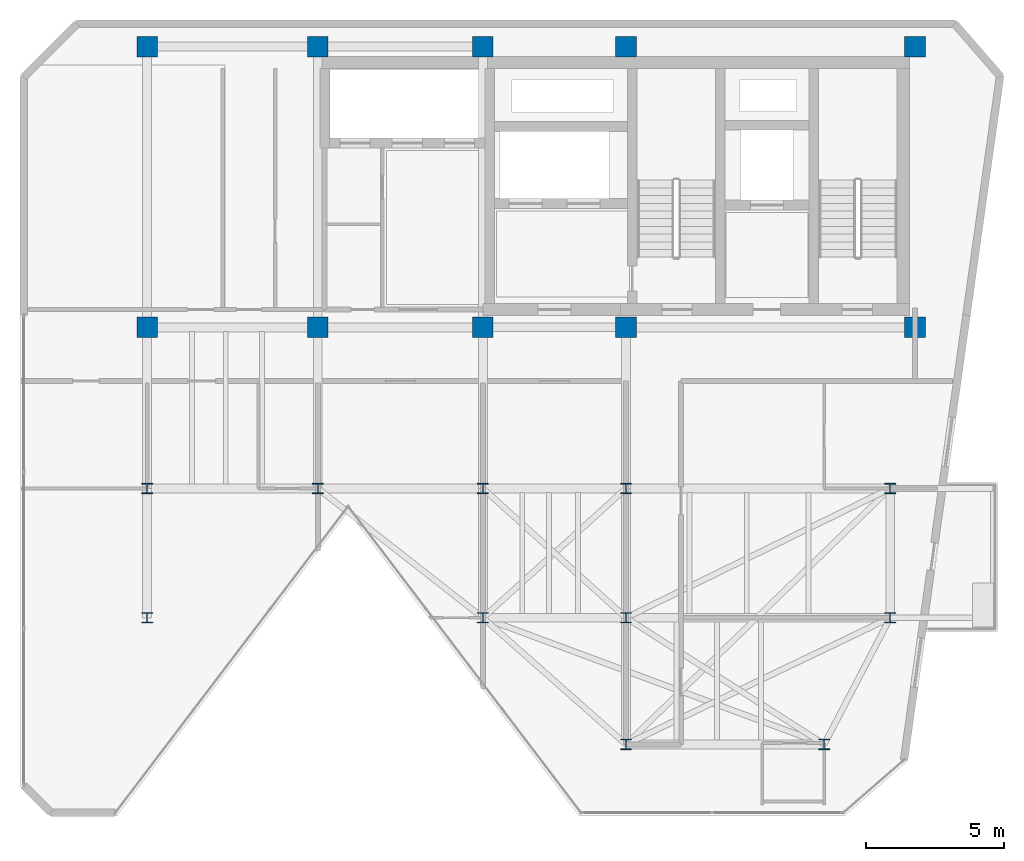
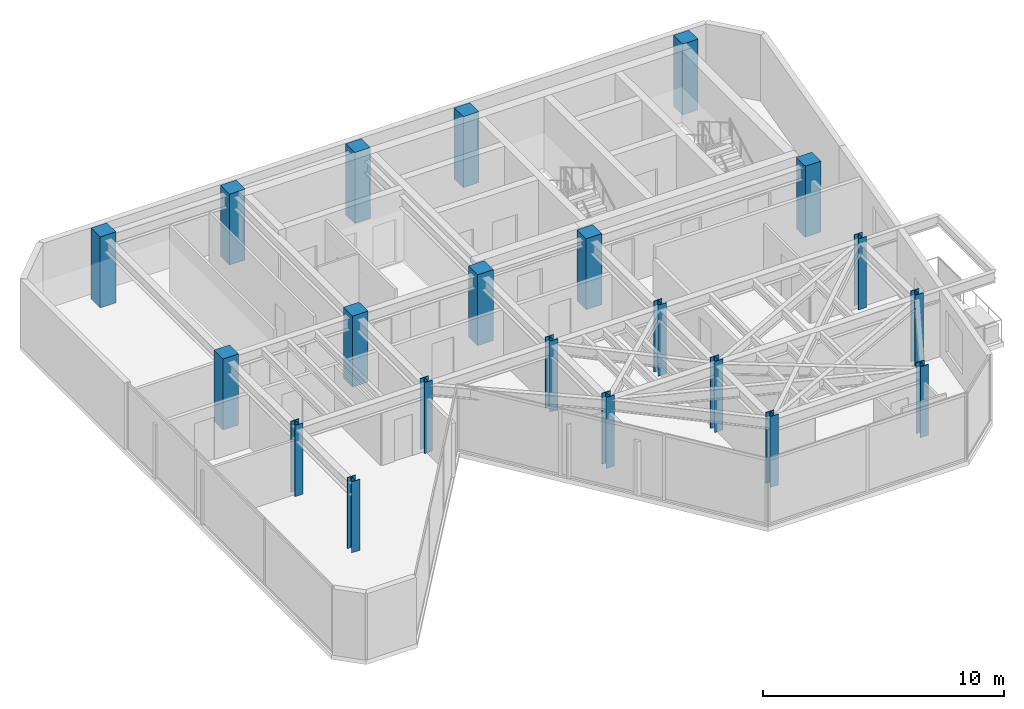
# One storey, part 1 of 16: 21 columns.
"""IFC4 building model written with IfcOpenShell, lengths in metres."""

from ifc_helpers import new_model, si_unit, direction, frame, origin, origin_2d, place, context, subcontext, project, spatial, rectangle, i_section, extrude, material, material_profile, profile_set, type_object, element, save


model = new_model("IFC4")

# Units and contexts
model_context = context("Model", 3, precision=1e-05, world=origin(), true_north=direction((0.0, 1.0)))
body_context = subcontext(model_context, "Body", "Model", "MODEL_VIEW")
ifc_project = project(units=[si_unit("LENGTHUNIT", "METRE"), si_unit("AREAUNIT", "SQUARE_METRE"), si_unit("VOLUMEUNIT", "CUBIC_METRE"), si_unit("PLANEANGLEUNIT", "RADIAN"), si_unit("MASSUNIT", "GRAM", prefix="KILO")], contexts=[model_context])

# Site, building, storey
site_placement = place(None, origin())
site = spatial("IfcSite", under=ifc_project, at=site_placement, CompositionType="ELEMENT")
building_placement = place(site_placement, origin())
building = spatial("IfcBuilding", under=site, at=building_placement, Name="Kravanh Interchange Tower", CompositionType="ELEMENT")
storey_placement = place(building_placement, frame((0.0, 0.0, 300.300048828125)))
storey = spatial("IfcBuildingStorey", under=building, at=storey_placement, Name="L74", CompositionType="ELEMENT", Elevation=300.300048828125)

# Columns
ifc_material_1 = material(Name="Concrete C60/75", Category="concrete")
ifc_material_profile_1 = material_profile(ifc_material_1, rectangle(XDim=0.75, YDim=0.75, at=origin_2d()), Name="RC750X750")
ifc_profile_set_1 = profile_set([ifc_material_profile_1], Name="Concrete C60/75")
column_type_1 = type_object("IfcColumnType", Name="Column RC750X750 Concrete C60/75", PredefinedType="COLUMN", material=ifc_profile_set_1)
for number, where, z_axis, x_axis, name in (
    (1, (66.5, 47.550048828125, 0.0), (0.0, 0.0, 1.0), (1.0, 0.0, 0.0), "L74 Column CS01"),
    (2, (56.0, 47.550048828125, 0.0), (0.0, 0.0, 1.0), (1.0, 0.0, 0.0), "L74 Column CS02"),
    (3, (66.5, 37.35009765625, 0.0), (0.0, 0.0, 1.0), (1.0, 0.0, 0.0), "L74 Column CS03"),
    (4, (56.0, 37.35009765625, 0.0), (0.0, 0.0, 1.0), (1.0, 0.0, 0.0), "L74 Column CS04"),
    (5, (50.800048828125, 47.550048828125, 0.0), (0.0, 0.0, 1.0), (1.0, 0.0, 0.0), "L74 Column CS05"),
    (6, (50.800048828125, 37.35009765625, 0.0), (0.0, 0.0, 1.0), (1.0, 0.0, 0.0), "L74 Column CS06"),
    (7, (44.800048828125, 37.35009765625, 0.0), (0.0, 0.0, 1.0), (1.0, 0.0, 0.0), "L74 Column CS07"),
    (8, (44.800048828125, 47.550048828125, 0.0), (0.0, 0.0, 1.0), (1.0, 0.0, 0.0), "L74 Column CS08"),
    (9, (38.60009765625, 37.35009765625, 0.0), (0.0, 0.0, 1.0), (1.0, 0.0, 0.0), "L74 Column CS09"),
    (10, (38.60009765625, 47.550048828125, 0.0), (0.0, 0.0, 1.0), (1.0, 0.0, 0.0), "L74 Column CS10"),
):
    element("IfcColumn", number, at=place(storey_placement, frame(where, z_axis=z_axis, x_axis=x_axis)), inside=storey, type_object=column_type_1, Name=name, PredefinedType="COLUMN", context=body_context, shape_type="SweptSolid", body=[
        extrude(rectangle(XDim=0.75, YDim=0.75, at=origin_2d()), origin(), (0.0, 0.0, 1.0), 3.599853515625),
    ])
ifc_material_2 = material(Name="Structural Steel S355", Category="steel")
ifc_material_profile_2 = material_profile(ifc_material_2, i_section(OverallWidth=0.39404296875, OverallDepth=0.3759765625, WebThickness=0.017333984375, FlangeThickness=0.027587890625, FilletRadius=0.030029296875, at=origin_2d()), Name="W14X145")
ifc_profile_set_2 = profile_set([ifc_material_profile_2], Name="Structural Steel S355")
column_type_2 = type_object("IfcColumnType", Name="Column W14X145 Structural Steel S355", PredefinedType="COLUMN", material=ifc_profile_set_2)
for number, where, z_axis, x_axis, name in (
    (11, (44.800048828125, 31.5, 0.0), (0.0, 0.0, 1.0), (1.0, 0.0, 0.0), "L74 Column CH_E1"),
    (12, (50.800048828125, 31.5, 0.0), (0.0, 0.0, 1.0), (1.0, 0.0, 0.0), "L74 Column CH_E2"),
    (13, (56.0, 31.5, 0.0), (0.0, 0.0, 1.0), (1.0, 0.0, 0.0), "L74 Column CH_E3"),
    (14, (65.60009765625, 31.5, 0.0), (0.0, 0.0, 1.0), (1.0, 0.0, 0.0), "L74 Column CH_E4"),
    (15, (38.60009765625, 31.5, 0.0), (0.0, 0.0, 1.0), (1.0, 0.0, 0.0), "L74 Column CH_E5"),
    (16, (38.60009765625, 26.800048828125, 0.0), (0.0, 0.0, 1.0), (1.0, 0.0, 0.0), "L74 Column CH_S1"),
    (17, (50.800048828125, 26.800048828125, 0.0), (0.0, 0.0, 1.0), (1.0, 0.0, 0.0), "L74 Column CH_S2"),
    (18, (56.0, 26.800048828125, 0.0), (0.0, 0.0, 1.0), (1.0, 0.0, 0.0), "L74 Column CH_S3"),
    (19, (65.60009765625, 26.800048828125, 0.0), (0.0, 0.0, 1.0), (1.0, 0.0, 0.0), "L74 Column CH_S4"),
    (20, (56.0, 22.199951171875, 0.0), (0.0, 0.0, 1.0), (1.0, 0.0, 0.0), "L74 Column CH_S5"),
    (21, (63.199951171875, 22.199951171875, 0.0), (0.0, 0.0, 1.0), (1.0, 0.0, 0.0), "L74 Column CH_S6"),
):
    element("IfcColumn", number, at=place(storey_placement, frame(where, z_axis=z_axis, x_axis=x_axis)), inside=storey, type_object=column_type_2, Name=name, PredefinedType="COLUMN", context=body_context, shape_type="SweptSolid", body=[
        extrude(i_section(OverallWidth=0.39404296875, OverallDepth=0.3759765625, WebThickness=0.017333984375, FlangeThickness=0.027587890625, FilletRadius=0.030029296875, at=origin_2d()), origin(), (0.0, 0.0, 1.0), 3.599853515625),
    ])

save(model, "model.ifc")
